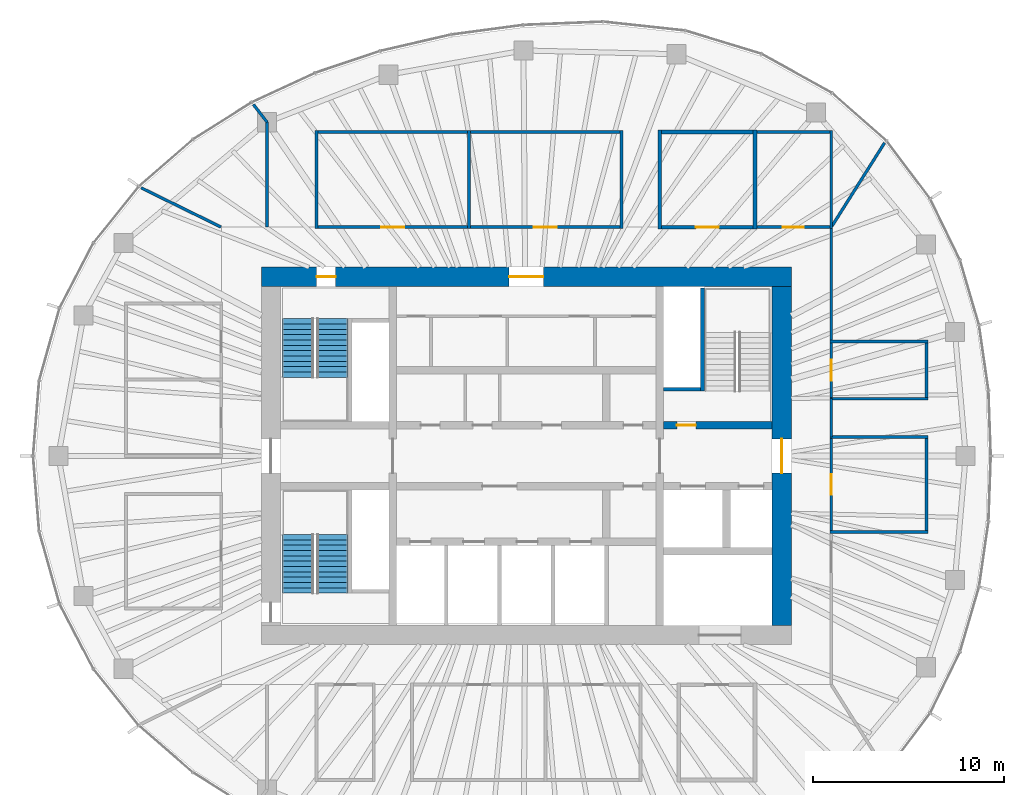
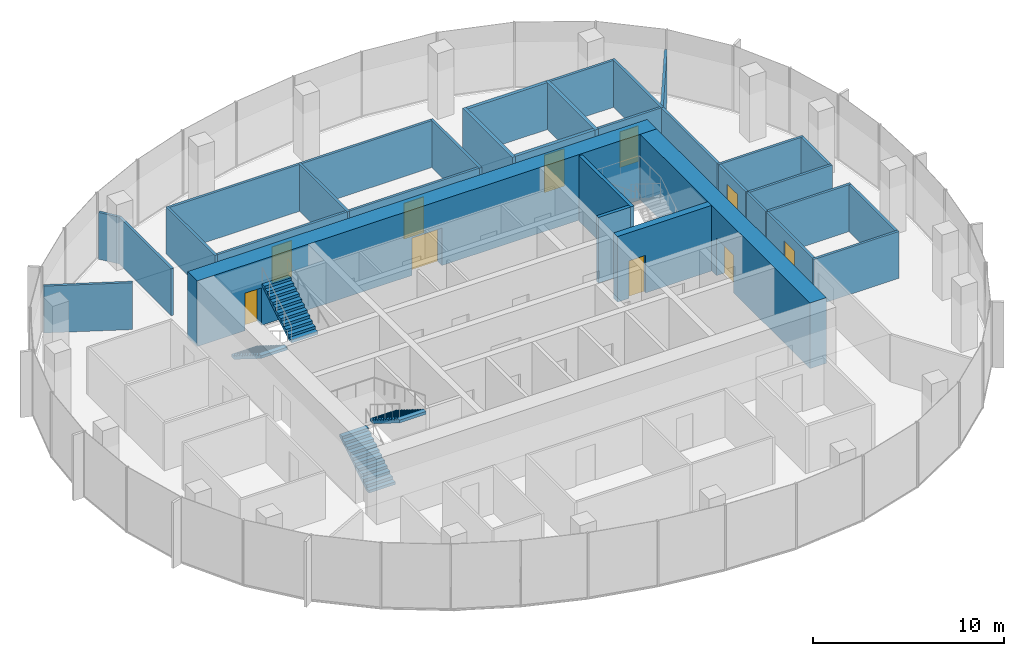
# One storey, part 10 of 12: 33 walls, 10 doors, 4 stair flights, 10 openings, 2 elements without a shape of their own.
"""IFC4 building model written with IfcOpenShell, lengths in metres."""

from ifc_helpers import new_model, si_unit, direction, frame, frame_2d, origin, place, context, subcontext, project, spatial, polyline, rectangle, outline, extrude, material, layer, layer_set, type_object, element, fill, aggregate, save


model = new_model("IFC4")

# Units and contexts
model_context = context("Model", 3, precision=1e-05, world=origin(), true_north=direction((0.0, 1.0)))
body_context = subcontext(model_context, "Body", "Model", "MODEL_VIEW")
ifc_project = project(units=[si_unit("LENGTHUNIT", "METRE"), si_unit("AREAUNIT", "SQUARE_METRE"), si_unit("VOLUMEUNIT", "CUBIC_METRE"), si_unit("PLANEANGLEUNIT", "RADIAN"), si_unit("MASSUNIT", "GRAM", prefix="KILO")], contexts=[model_context])

# Site, building, storey
site_placement = place(None, origin())
site = spatial("IfcSite", under=ifc_project, at=site_placement, CompositionType="ELEMENT")
building_placement = place(site_placement, origin())
building = spatial("IfcBuilding", under=site, at=building_placement, Name="Ghaith Harvest Tower", CompositionType="ELEMENT")
storey_placement = place(building_placement, frame((0.0, 0.0, 304.800048828125)))
storey = spatial("IfcBuildingStorey", under=building, at=storey_placement, Name="L68", CompositionType="ELEMENT", Elevation=304.800048828125)

# Walls
ifc_material_1 = material(Name="Twin-stud gypsum board, acoustic", Category="gypsum")
ifc_layer_1 = layer(ifc_material_1, 0.199951171875)
ifc_layer_set_1 = layer_set([ifc_layer_1], Name="ACOUSTIC PARTITION 200")
wall_type_1 = type_object("IfcWallType", Name="ACOUSTIC PARTITION 200", PredefinedType="PARTITIONING", material=ifc_layer_set_1)
for number, where, z_axis, x_axis, name in (
    (1, (7.0, 11.89990234375, 0.0), (0.0, 0.0, 1.0), (0.0, 1.0, 0.0), "Partition L68 row N2 cross wall 1"),
    (2, (12.0, 11.89990234375, 0.0), (0.0, 0.0, 1.0), (0.0, 1.0, 0.0), "Partition L68 row N2 cross wall 2"),
):
    element("IfcWall", number, at=place(storey_placement, frame(where, z_axis=z_axis, x_axis=x_axis)), inside=storey, type_object=wall_type_1, Name=name, PredefinedType="PARTITIONING", context=body_context, shape_type="SweptSolid", body=[
        extrude(rectangle(XDim=5.2001953125, YDim=0.199951171875, at=frame_2d((2.60009765625, 0.0))), origin(), (0.0, 0.0, 1.0), 3.0),
    ])

# Wall, opening, door
wall_1_placement = place(storey_placement, frame((7.10009765625, 12.0, 0.0), z_axis=(0.0, 0.0, 1.0), x_axis=(1.0, 0.0, 0.0)))
wall_1 = element("IfcWall", 3, at=wall_1_placement, inside=storey, type_object=wall_type_1, Name="Partition L68-03", PredefinedType="PARTITIONING", context=body_context, shape_type="SweptSolid", body=[
    extrude(rectangle(XDim=4.7998046875, YDim=0.199951171875, at=frame_2d((2.39990234375, 0.0))), origin(), (0.0, 0.0, 1.0), 3.0),
])
opening_1_placement = place(wall_1_placement, frame((1.800048828125, 0.0, 0.0)))
opening_1 = element("IfcOpeningElement", 4, at=opening_1_placement, cuts=wall_1, Name="Opening 68-028", PredefinedType="OPENING", context=body_context, shape_type="SweptSolid", body=[
    extrude(rectangle(XDim=1.199951171875, YDim=2.39990234375, at=frame_2d((0.60009765625, 1.199951171875))), frame((0.0, 0.10986328125, 0.0), z_axis=(0.0, -1.0, 0.0), x_axis=(1.0, 0.0, 0.0)), (0.0, 0.0, 1.0), 0.219970703125),
])
ifc_material_2 = material(Name="Timber door", Category="wood")
door_type_1 = type_object("IfcDoorType", Name="D11 GLAZED 1200x2400", OperationType="SINGLE_SWING_LEFT", PredefinedType="DOOR", material=ifc_material_2)
door_1_placement = place(opening_1_placement, origin())
door_1 = element("IfcDoor", 5, at=door_1_placement, inside=storey, type_object=door_type_1, Name="Meeting room door", OperationType="SINGLE_SWING_LEFT", OverallHeight=2.39990234375, OverallWidth=1.199951171875, PredefinedType="DOOR", context=body_context, shape_type="SweptSolid", body=[
    extrude(rectangle(XDim=1.199951171875, YDim=2.39990234375, at=frame_2d((0.60009765625, 1.199951171875))), frame((0.0, 0.02490234375, 0.0), z_axis=(0.0, -1.0, 0.0), x_axis=(1.0, 0.0, 0.0)), (0.0, 0.0, 1.0), 0.050048828125),
])
fill(opening_1, door_1)

# Wall
wall_2_placement = place(storey_placement, frame((7.10009765625, 17.0, 0.0), z_axis=(0.0, 0.0, 1.0), x_axis=(1.0, 0.0, 0.0)))
element("IfcWall", 6, at=wall_2_placement, inside=storey, type_object=wall_type_1, Name="Partition L68-03", PredefinedType="PARTITIONING", context=body_context, shape_type="SweptSolid", body=[
    extrude(rectangle(XDim=4.7998046875, YDim=0.199951171875, at=frame_2d((2.39990234375, 0.0))), origin(), (0.0, 0.0, 1.0), 3.0),
])

# Wall, openings, doors
ifc_material_3 = material(Name="Concrete C50/60", Category="concrete")
ifc_layer_2 = layer(ifc_material_3, 1.0)
ifc_layer_set_2 = layer_set([ifc_layer_2], Name="CORE WALL CW1000")
wall_type_2 = type_object("IfcWallType", Name="CORE WALL CW1000", PredefinedType="SHEAR", material=ifc_layer_set_2)
wall_3_placement = place(storey_placement, frame((13.89990234375, 9.39990234375, 0.0), z_axis=(0.0, 0.0, 1.0), x_axis=(-1.0, 0.0, 0.0)))
wall_3 = element("IfcWall", 7, at=wall_3_placement, inside=storey, type_object=wall_type_2, Name="Core wall N L68", PredefinedType="SHEAR", context=body_context, shape_type="SweptSolid", body=[
    extrude(rectangle(XDim=27.7998046875, YDim=1.0, at=frame_2d((13.89990234375, 0.0))), origin(), (0.0, 0.0, 1.0), 4.199951171875),
])
opening_2_placement = place(wall_3_placement, frame((23.89990234375, 0.0, 0.0)))
opening_2 = element("IfcOpeningElement", 8, at=opening_2_placement, cuts=wall_3, Name="Opening 68-005", PredefinedType="OPENING", context=body_context, shape_type="SweptSolid", body=[
    extrude(rectangle(XDim=1.0, YDim=2.39990234375, at=frame_2d((0.5, 1.199951171875))), frame((0.0, 0.510009765625, 0.0), z_axis=(0.0, -1.0, 0.0), x_axis=(1.0, 0.0, 0.0)), (0.0, 0.0, 1.0), 1.02001953125),
])
opening_3_placement = place(wall_3_placement, frame((13.0, 0.0, 0.0)))
opening_3 = element("IfcOpeningElement", 9, at=opening_3_placement, cuts=wall_3, Name="Opening 68-018", PredefinedType="OPENING", context=body_context, shape_type="SweptSolid", body=[
    extrude(rectangle(XDim=1.800048828125, YDim=2.39990234375, at=frame_2d((0.89990234375, 1.199951171875))), frame((0.0, 0.510009765625, 0.0), z_axis=(0.0, -1.0, 0.0), x_axis=(1.0, 0.0, 0.0)), (0.0, 0.0, 1.0), 1.02001953125),
])
ifc_material_4 = material(Name="Steel fire door", Category="steel")
door_type_2 = type_object("IfcDoorType", Name="D3 FD90 1000x2400", OperationType="SINGLE_SWING_LEFT", PredefinedType="DOOR", material=ifc_material_4)
door_2_placement = place(opening_2_placement, origin())
door_2 = element("IfcDoor", 10, at=door_2_placement, inside=storey, type_object=door_type_2, Name="Stair ST1 door", OperationType="SINGLE_SWING_RIGHT", OverallHeight=2.39990234375, OverallWidth=1.0, PredefinedType="DOOR", context=body_context, shape_type="SweptSolid", body=[
    extrude(rectangle(XDim=1.0, YDim=2.39990234375, at=frame_2d((0.5, 1.199951171875))), frame((0.0, 0.02490234375, 0.0), z_axis=(0.0, -1.0, 0.0), x_axis=(1.0, 0.0, 0.0)), (0.0, 0.0, 1.0), 0.050048828125),
])
fill(opening_2, door_2)
ifc_material_5 = material(Name="Steel fire door", Category="steel")
door_type_3 = type_object("IfcDoorType", Name="D4 FD90 PAIR 1800x2400", OperationType="DOUBLE_DOOR_SINGLE_SWING", PredefinedType="DOOR", material=ifc_material_5)
door_3_placement = place(opening_3_placement, origin())
door_3 = element("IfcDoor", 11, at=door_3_placement, inside=storey, type_object=door_type_3, Name="Core service corridor doors", OperationType="DOUBLE_DOOR_SINGLE_SWING", OverallHeight=2.39990234375, OverallWidth=1.800048828125, PredefinedType="DOOR", context=body_context, shape_type="SweptSolid", body=[
    extrude(rectangle(XDim=1.800048828125, YDim=2.39990234375, at=frame_2d((0.89990234375, 1.199951171875))), frame((0.0, 0.02490234375, 0.0), z_axis=(0.0, -1.0, 0.0), x_axis=(1.0, 0.0, 0.0)), (0.0, 0.0, 1.0), 0.050048828125),
])
fill(opening_3, door_3)

# Wall, opening, door
wall_4_placement = place(storey_placement, frame((13.39990234375, -8.89990234375, 0.0), z_axis=(0.0, 0.0, 1.0), x_axis=(0.0, 1.0, 0.0)))
wall_4 = element("IfcWall", 12, at=wall_4_placement, inside=storey, type_object=wall_type_2, Name="Core wall E L68", PredefinedType="SHEAR", context=body_context, shape_type="SweptSolid", body=[
    extrude(rectangle(XDim=17.7998046875, YDim=1.0, at=frame_2d((8.89990234375, 0.0))), origin(), (0.0, 0.0, 1.0), 4.199951171875),
])
opening_4_placement = place(wall_4_placement, frame((8.0, 0.0, 0.0)))
opening_4 = element("IfcOpeningElement", 13, at=opening_4_placement, cuts=wall_4, Name="Opening 68-002", PredefinedType="OPENING", context=body_context, shape_type="SweptSolid", body=[
    extrude(rectangle(XDim=1.800048828125, YDim=2.39990234375, at=frame_2d((0.89990234375, 1.199951171875))), frame((0.0, 0.510009765625, 0.0), z_axis=(0.0, -1.0, 0.0), x_axis=(1.0, 0.0, 0.0)), (0.0, 0.0, 1.0), 1.02001953125),
])
door_4_placement = place(opening_4_placement, origin())
door_4 = element("IfcDoor", 14, at=door_4_placement, inside=storey, type_object=door_type_3, Name="Fire-fighting lobby doors", OperationType="DOUBLE_DOOR_SINGLE_SWING", OverallHeight=2.39990234375, OverallWidth=1.800048828125, PredefinedType="DOOR", context=body_context, shape_type="SweptSolid", body=[
    extrude(rectangle(XDim=1.800048828125, YDim=2.39990234375, at=frame_2d((0.89990234375, 1.199951171875))), frame((0.0, 0.02490234375, 0.0), z_axis=(0.0, -1.0, 0.0), x_axis=(1.0, 0.0, 0.0)), (0.0, 0.0, 1.0), 0.050048828125),
])
fill(opening_4, door_4)

# Walls
ifc_material_6 = material(Name="Gypsum board on steel studs", Category="steel")
ifc_layer_3 = layer(ifc_material_6, 0.14990234375)
ifc_layer_set_3 = layer_set([ifc_layer_3], Name="PARTITION 150")
wall_type_3 = type_object("IfcWallType", Name="PARTITION 150", PredefinedType="PARTITIONING", material=ifc_layer_set_3)
for number, where, z_axis, x_axis, name in (
    (15, (-11.0, 11.925048828125, 0.0), (0.0, 0.0, 1.0), (0.0, 1.0, 0.0), "Partition L68 row N1 cross wall 1"),
    (16, (-3.0, 11.925048828125, 0.0), (0.0, 0.0, 1.0), (0.0, 1.0, 0.0), "Partition L68 row N1 cross wall 2"),
    (17, (5.0, 11.925048828125, 0.0), (0.0, 0.0, 1.0), (0.0, 1.0, 0.0), "Partition L68 row N1 cross wall 3"),
):
    element("IfcWall", number, at=place(storey_placement, frame(where, z_axis=z_axis, x_axis=x_axis)), inside=storey, type_object=wall_type_3, Name=name, PredefinedType="PARTITIONING", context=body_context, shape_type="SweptSolid", body=[
        extrude(rectangle(XDim=5.14990234375, YDim=0.14990234375, at=frame_2d((2.574951171875, 0.0))), origin(), (0.0, 0.0, 1.0), 3.0),
    ])

# Wall, opening, door
wall_5_placement = place(storey_placement, frame((-10.925048828125, 12.0, 0.0), z_axis=(0.0, 0.0, 1.0), x_axis=(1.0, 0.0, 0.0)))
wall_5 = element("IfcWall", 18, at=wall_5_placement, inside=storey, type_object=wall_type_3, Name="Partition L68-01", PredefinedType="PARTITIONING", context=body_context, shape_type="SweptSolid", body=[
    extrude(rectangle(XDim=7.85009765625, YDim=0.14990234375, at=frame_2d((3.925048828125, 0.0))), origin(), (0.0, 0.0, 1.0), 3.0),
])
opening_5_placement = place(wall_5_placement, frame((3.324951171875, 0.0, 0.0)))
opening_5 = element("IfcOpeningElement", 19, at=opening_5_placement, cuts=wall_5, Name="Opening 68-026", PredefinedType="OPENING", context=body_context, shape_type="SweptSolid", body=[
    extrude(rectangle(XDim=1.199951171875, YDim=2.300048828125, at=frame_2d((0.60009765625, 1.14990234375))), frame((0.0, 0.0849609375, 0.0), z_axis=(0.0, -1.0, 0.0), x_axis=(1.0, 0.0, 0.0)), (0.0, 0.0, 1.0), 0.169921875),
])
ifc_material_7 = material(Name="Timber door with vision panel", Category="wood")
door_type_4 = type_object("IfcDoorType", Name="D15 LABORATORY 1200x2300", OperationType="SINGLE_SWING_LEFT", PredefinedType="DOOR", material=ifc_material_7)
door_5_placement = place(opening_5_placement, origin())
door_5 = element("IfcDoor", 20, at=door_5_placement, inside=storey, type_object=door_type_4, Name="Growing laboratory door", OperationType="SINGLE_SWING_LEFT", OverallHeight=2.300048828125, OverallWidth=1.199951171875, PredefinedType="DOOR", context=body_context, shape_type="SweptSolid", body=[
    extrude(rectangle(XDim=1.199951171875, YDim=2.300048828125, at=frame_2d((0.60009765625, 1.14990234375))), frame((0.0, 0.02490234375, 0.0), z_axis=(0.0, -1.0, 0.0), x_axis=(1.0, 0.0, 0.0)), (0.0, 0.0, 1.0), 0.050048828125),
])
fill(opening_5, door_5)

# Wall
wall_6_placement = place(storey_placement, frame((-10.925048828125, 17.0, 0.0), z_axis=(0.0, 0.0, 1.0), x_axis=(1.0, 0.0, 0.0)))
element("IfcWall", 21, at=wall_6_placement, inside=storey, type_object=wall_type_3, Name="Partition L68-01", PredefinedType="PARTITIONING", context=body_context, shape_type="SweptSolid", body=[
    extrude(rectangle(XDim=7.85009765625, YDim=0.14990234375, at=frame_2d((3.925048828125, 0.0))), origin(), (0.0, 0.0, 1.0), 3.0),
])

# Wall, opening, door
wall_7_placement = place(storey_placement, frame((-2.925048828125, 12.0, 0.0), z_axis=(0.0, 0.0, 1.0), x_axis=(1.0, 0.0, 0.0)))
wall_7 = element("IfcWall", 22, at=wall_7_placement, inside=storey, type_object=wall_type_3, Name="Partition L68-02", PredefinedType="PARTITIONING", context=body_context, shape_type="SweptSolid", body=[
    extrude(rectangle(XDim=7.85009765625, YDim=0.14990234375, at=frame_2d((3.925048828125, 0.0))), origin(), (0.0, 0.0, 1.0), 3.0),
])
opening_6_placement = place(wall_7_placement, frame((3.324951171875, 0.0, 0.0)))
opening_6 = element("IfcOpeningElement", 23, at=opening_6_placement, cuts=wall_7, Name="Opening 68-027", PredefinedType="OPENING", context=body_context, shape_type="SweptSolid", body=[
    extrude(rectangle(XDim=1.199951171875, YDim=2.300048828125, at=frame_2d((0.60009765625, 1.14990234375))), frame((0.0, 0.0849609375, 0.0), z_axis=(0.0, -1.0, 0.0), x_axis=(1.0, 0.0, 0.0)), (0.0, 0.0, 1.0), 0.169921875),
])
door_6_placement = place(opening_6_placement, origin())
door_6 = element("IfcDoor", 24, at=door_6_placement, inside=storey, type_object=door_type_4, Name="Growing laboratory door", OperationType="SINGLE_SWING_LEFT", OverallHeight=2.300048828125, OverallWidth=1.199951171875, PredefinedType="DOOR", context=body_context, shape_type="SweptSolid", body=[
    extrude(rectangle(XDim=1.199951171875, YDim=2.300048828125, at=frame_2d((0.60009765625, 1.14990234375))), frame((0.0, 0.02490234375, 0.0), z_axis=(0.0, -1.0, 0.0), x_axis=(1.0, 0.0, 0.0)), (0.0, 0.0, 1.0), 0.050048828125),
])
fill(opening_6, door_6)

# Walls
wall_8_placement = place(storey_placement, frame((-2.925048828125, 17.0, 0.0), z_axis=(0.0, 0.0, 1.0), x_axis=(1.0, 0.0, 0.0)))
element("IfcWall", 25, at=wall_8_placement, inside=storey, type_object=wall_type_3, Name="Partition L68-02", PredefinedType="PARTITIONING", context=body_context, shape_type="SweptSolid", body=[
    extrude(rectangle(XDim=7.85009765625, YDim=0.14990234375, at=frame_2d((3.925048828125, 0.0))), origin(), (0.0, 0.0, 1.0), 3.0),
])
wall_9_placement = place(storey_placement, frame((16.0, 11.925048828125, 0.0), z_axis=(0.0, 0.0, 1.0), x_axis=(0.0, 1.0, 0.0)))
element("IfcWall", 26, at=wall_9_placement, inside=storey, type_object=wall_type_3, Name="Partition L68 row N2 cross wall 3", PredefinedType="PARTITIONING", context=body_context, shape_type="SweptSolid", body=[
    extrude(rectangle(XDim=5.14990234375, YDim=0.14990234375, at=frame_2d((2.574951171875, 0.0))), origin(), (0.0, 0.0, 1.0), 3.0),
])

# Wall, opening, door
wall_10_placement = place(storey_placement, frame((12.10009765625, 12.0, 0.0), z_axis=(0.0, 0.0, 1.0), x_axis=(1.0, 0.0, 0.0)))
wall_10 = element("IfcWall", 27, at=wall_10_placement, inside=storey, type_object=wall_type_3, Name="Partition L68-04", PredefinedType="PARTITIONING", context=body_context, shape_type="SweptSolid", body=[
    extrude(rectangle(XDim=3.824951171875, YDim=0.14990234375, at=frame_2d((1.91259765625, 0.0))), origin(), (0.0, 0.0, 1.0), 3.0),
])
opening_7_placement = place(wall_10_placement, frame((1.362548828125, 0.0, 0.0)))
opening_7 = element("IfcOpeningElement", 28, at=opening_7_placement, cuts=wall_10, Name="Opening 68-029", PredefinedType="OPENING", context=body_context, shape_type="SweptSolid", body=[
    extrude(rectangle(XDim=1.10009765625, YDim=2.300048828125, at=frame_2d((0.550048828125, 1.14990234375))), frame((0.0, 0.0849609375, 0.0), z_axis=(0.0, -1.0, 0.0), x_axis=(1.0, 0.0, 0.0)), (0.0, 0.0, 1.0), 0.169921875),
])
ifc_material_8 = material(Name="Timber-framed glazed door", Category="wood")
door_type_5 = type_object("IfcDoorType", Name="D12 GLAZED OFFICE 1100x2300", OperationType="SINGLE_SWING_LEFT", PredefinedType="DOOR", material=ifc_material_8)
door_7_placement = place(opening_7_placement, origin())
door_7 = element("IfcDoor", 29, at=door_7_placement, inside=storey, type_object=door_type_5, Name="Office door", OperationType="SINGLE_SWING_LEFT", OverallHeight=2.300048828125, OverallWidth=1.10009765625, PredefinedType="DOOR", context=body_context, shape_type="SweptSolid", body=[
    extrude(rectangle(XDim=1.10009765625, YDim=2.300048828125, at=frame_2d((0.550048828125, 1.14990234375))), frame((0.0, 0.02490234375, 0.0), z_axis=(0.0, -1.0, 0.0), x_axis=(1.0, 0.0, 0.0)), (0.0, 0.0, 1.0), 0.050048828125),
])
fill(opening_7, door_7)

# Walls
wall_11_placement = place(storey_placement, frame((12.10009765625, 17.0, 0.0), z_axis=(0.0, 0.0, 1.0), x_axis=(1.0, 0.0, 0.0)))
element("IfcWall", 30, at=wall_11_placement, inside=storey, type_object=wall_type_3, Name="Partition L68-04", PredefinedType="PARTITIONING", context=body_context, shape_type="SweptSolid", body=[
    extrude(rectangle(XDim=3.824951171875, YDim=0.14990234375, at=frame_2d((1.91259765625, 0.0))), origin(), (0.0, 0.0, 1.0), 3.0),
])
for number, where, z_axis, x_axis, name in (
    (31, (15.925048828125, -4.0, 0.0), (0.0, 0.0, 1.0), (1.0, 0.0, 0.0), "Partition L68 row E6 cross wall 1"),
    (32, (15.925048828125, 1.0, 0.0), (0.0, 0.0, 1.0), (1.0, 0.0, 0.0), "Partition L68 row E6 cross wall 2"),
):
    element("IfcWall", number, at=place(storey_placement, frame(where, z_axis=z_axis, x_axis=x_axis)), inside=storey, type_object=wall_type_3, Name=name, PredefinedType="PARTITIONING", context=body_context, shape_type="SweptSolid", body=[
        extrude(rectangle(XDim=5.14990234375, YDim=0.14990234375, at=frame_2d((2.574951171875, 0.0))), origin(), (0.0, 0.0, 1.0), 3.0),
    ])

# Wall, opening, door
wall_12_placement = place(storey_placement, frame((16.0, -3.925048828125, 0.0), z_axis=(0.0, 0.0, 1.0), x_axis=(0.0, 1.0, 0.0)))
wall_12 = element("IfcWall", 33, at=wall_12_placement, inside=storey, type_object=wall_type_3, Name="Partition L68-09", PredefinedType="PARTITIONING", context=body_context, shape_type="SweptSolid", body=[
    extrude(rectangle(XDim=4.85009765625, YDim=0.14990234375, at=frame_2d((2.425048828125, 0.0))), origin(), (0.0, 0.0, 1.0), 3.0),
])
opening_8_placement = place(wall_12_placement, frame((1.875, 0.0, 0.0)))
opening_8 = element("IfcOpeningElement", 34, at=opening_8_placement, cuts=wall_12, Name="Opening 68-034", PredefinedType="OPENING", context=body_context, shape_type="SweptSolid", body=[
    extrude(rectangle(XDim=1.10009765625, YDim=2.300048828125, at=frame_2d((0.550048828125, 1.14990234375))), frame((0.0, 0.0849609375, 0.0), z_axis=(0.0, -1.0, 0.0), x_axis=(1.0, 0.0, 0.0)), (0.0, 0.0, 1.0), 0.169921875),
])
door_8_placement = place(opening_8_placement, origin())
door_8 = element("IfcDoor", 35, at=door_8_placement, inside=storey, type_object=door_type_5, Name="Research office door", OperationType="SINGLE_SWING_LEFT", OverallHeight=2.300048828125, OverallWidth=1.10009765625, PredefinedType="DOOR", context=body_context, shape_type="SweptSolid", body=[
    extrude(rectangle(XDim=1.10009765625, YDim=2.300048828125, at=frame_2d((0.550048828125, 1.14990234375))), frame((0.0, 0.02490234375, 0.0), z_axis=(0.0, -1.0, 0.0), x_axis=(1.0, 0.0, 0.0)), (0.0, 0.0, 1.0), 0.050048828125),
])
fill(opening_8, door_8)

# Walls
wall_13_placement = place(storey_placement, frame((21.0, -3.925048828125, 0.0), z_axis=(0.0, 0.0, 1.0), x_axis=(0.0, 1.0, 0.0)))
element("IfcWall", 36, at=wall_13_placement, inside=storey, type_object=wall_type_3, Name="Partition L68-09", PredefinedType="PARTITIONING", context=body_context, shape_type="SweptSolid", body=[
    extrude(rectangle(XDim=4.85009765625, YDim=0.14990234375, at=frame_2d((2.425048828125, 0.0))), origin(), (0.0, 0.0, 1.0), 3.0),
])
for number, where, z_axis, x_axis, name in (
    (37, (15.925048828125, 3.0, 0.0), (0.0, 0.0, 1.0), (1.0, 0.0, 0.0), "Partition L68 row E8 cross wall 1"),
    (38, (15.925048828125, 6.0, 0.0), (0.0, 0.0, 1.0), (1.0, 0.0, 0.0), "Partition L68 row E8 cross wall 2"),
):
    element("IfcWall", number, at=place(storey_placement, frame(where, z_axis=z_axis, x_axis=x_axis)), inside=storey, type_object=wall_type_3, Name=name, PredefinedType="PARTITIONING", context=body_context, shape_type="SweptSolid", body=[
        extrude(rectangle(XDim=5.14990234375, YDim=0.14990234375, at=frame_2d((2.574951171875, 0.0))), origin(), (0.0, 0.0, 1.0), 3.0),
    ])

# Wall, opening, door
wall_14_placement = place(storey_placement, frame((16.0, 3.074951171875, 0.0), z_axis=(0.0, 0.0, 1.0), x_axis=(0.0, 1.0, 0.0)))
wall_14 = element("IfcWall", 39, at=wall_14_placement, inside=storey, type_object=wall_type_3, Name="Partition L68-11", PredefinedType="PARTITIONING", context=body_context, shape_type="SweptSolid", body=[
    extrude(rectangle(XDim=2.85009765625, YDim=0.14990234375, at=frame_2d((1.425048828125, 0.0))), origin(), (0.0, 0.0, 1.0), 3.0),
])
opening_9_placement = place(wall_14_placement, frame((0.875, 0.0, 0.0)))
opening_9 = element("IfcOpeningElement", 40, at=opening_9_placement, cuts=wall_14, Name="Opening 68-036", PredefinedType="OPENING", context=body_context, shape_type="SweptSolid", body=[
    extrude(rectangle(XDim=1.10009765625, YDim=2.300048828125, at=frame_2d((0.550048828125, 1.14990234375))), frame((0.0, 0.0849609375, 0.0), z_axis=(0.0, -1.0, 0.0), x_axis=(1.0, 0.0, 0.0)), (0.0, 0.0, 1.0), 0.169921875),
])
door_9_placement = place(opening_9_placement, origin())
door_9 = element("IfcDoor", 41, at=door_9_placement, inside=storey, type_object=door_type_5, Name="Data office door", OperationType="SINGLE_SWING_LEFT", OverallHeight=2.300048828125, OverallWidth=1.10009765625, PredefinedType="DOOR", context=body_context, shape_type="SweptSolid", body=[
    extrude(rectangle(XDim=1.10009765625, YDim=2.300048828125, at=frame_2d((0.550048828125, 1.14990234375))), frame((0.0, 0.02490234375, 0.0), z_axis=(0.0, -1.0, 0.0), x_axis=(1.0, 0.0, 0.0)), (0.0, 0.0, 1.0), 0.050048828125),
])
fill(opening_9, door_9)

# Walls
wall_15_placement = place(storey_placement, frame((21.0, 3.074951171875, 0.0), z_axis=(0.0, 0.0, 1.0), x_axis=(0.0, 1.0, 0.0)))
element("IfcWall", 42, at=wall_15_placement, inside=storey, type_object=wall_type_3, Name="Partition L68-11", PredefinedType="PARTITIONING", context=body_context, shape_type="SweptSolid", body=[
    extrude(rectangle(XDim=2.85009765625, YDim=0.14990234375, at=frame_2d((1.425048828125, 0.0))), origin(), (0.0, 0.0, 1.0), 3.0),
])
wall_16_placement = place(storey_placement, frame((-16.017822265625, 12.0087890625, 0.0), z_axis=(0.0, 0.0, 1.0), x_axis=(-0.897771840996, 0.440460805879, 0.0)))
element("IfcWall", 43, at=wall_16_placement, inside=storey, type_object=wall_type_3, Name="Partition L68 zone division", PredefinedType="PARTITIONING", context=body_context, shape_type="SweptSolid", body=[
    extrude(rectangle(XDim=4.66552734375, YDim=0.14990234375, at=frame_2d((2.332763671875, 0.0))), origin(), (0.0, 0.0, 1.0), 3.0),
])
wall_17_placement = place(storey_placement, frame((16.02001953125, 12.03173828125, 0.0), z_axis=(0.0, 0.0, 1.0), x_axis=(0.534176584227, 0.845372921771, 0.0)))
element("IfcWall", 44, at=wall_17_placement, inside=storey, type_object=wall_type_3, Name="Partition L68 zone division", PredefinedType="PARTITIONING", context=body_context, shape_type="SweptSolid", body=[
    extrude(rectangle(XDim=5.202880859375, YDim=0.14990234375, at=frame_2d((2.6015625, 0.0))), origin(), (0.0, 0.0, 1.0), 3.0),
])
wall_18_placement = place(storey_placement, frame((-13.594970703125, 12.02001953125, 0.0), z_axis=(0.0, 0.0, 1.0), x_axis=(0.0, 1.0, 0.0)))
element("IfcWall", 45, at=wall_18_placement, inside=storey, type_object=wall_type_3, Name="Partition L68 zone division", PredefinedType="PARTITIONING", context=body_context, shape_type="SweptSolid", body=[
    extrude(rectangle(XDim=5.48486328125, YDim=0.14990234375, at=frame_2d((2.742431640625, 0.0))), origin(), (0.0, 0.0, 1.0), 3.0),
])
wall_19_placement = place(storey_placement, frame((-13.594970703125, 17.5048828125, 0.0), z_axis=(0.0, 0.0, 1.0), x_axis=(-0.61332442804, 0.789831086986, 0.0)))
element("IfcWall", 46, at=wall_19_placement, inside=storey, type_object=wall_type_3, Name="Partition L68 zone division", PredefinedType="PARTITIONING", context=body_context, shape_type="SweptSolid", body=[
    extrude(rectangle(XDim=1.179931640625, YDim=0.14990234375, at=frame_2d((0.58984375, 0.0))), origin(), (0.0, 0.0, 1.0), 3.0),
])
wall_20_placement = place(storey_placement, frame((16.0, 1.0, 0.0), z_axis=(0.0, 0.0, 1.0), x_axis=(0.0, 1.0, 0.0)))
element("IfcWall", 47, at=wall_20_placement, inside=storey, type_object=wall_type_3, Name="Partition L68 zone enclosure", PredefinedType="PARTITIONING", context=body_context, shape_type="SweptSolid", body=[
    extrude(rectangle(XDim=2.0, YDim=0.14990234375, at=frame_2d((1.0, 0.0))), origin(), (0.0, 0.0, 1.0), 3.0),
])
wall_21_placement = place(storey_placement, frame((16.0, 6.0, 0.0), z_axis=(0.0, 0.0, 1.0), x_axis=(0.0, 1.0, 0.0)))
element("IfcWall", 48, at=wall_21_placement, inside=storey, type_object=wall_type_3, Name="Partition L68 zone enclosure", PredefinedType="PARTITIONING", context=body_context, shape_type="SweptSolid", body=[
    extrude(rectangle(XDim=6.0, YDim=0.14990234375, at=frame_2d((3.0, 0.0))), origin(), (0.0, 0.0, 1.0), 3.0),
])

# Wall, opening, door
ifc_material_9 = material(Name="Concrete C70/85", Category="concrete")
ifc_layer_4 = layer(ifc_material_9, 0.39990234375)
ifc_layer_set_4 = layer_set([ifc_layer_4], Name="SHAFT WALL 400")
wall_type_4 = type_object("IfcWallType", Name="SHAFT WALL 400", PredefinedType="SHEAR", material=ifc_layer_set_4)
wall_22_placement = place(storey_placement, frame((7.199951171875, 1.60009765625, 0.0), z_axis=(0.0, 0.0, 1.0), x_axis=(1.0, 0.0, 0.0)))
wall_22 = element("IfcWall", 49, at=wall_22_placement, inside=storey, type_object=wall_type_4, Name="Shaft wall EN L68", PredefinedType="SHEAR", context=body_context, shape_type="SweptSolid", body=[
    extrude(rectangle(XDim=5.699951171875, YDim=0.39990234375, at=frame_2d((2.85009765625, 0.0))), origin(), (0.0, 0.0, 1.0), 4.199951171875),
])
opening_10_placement = place(wall_22_placement, frame((0.699951171875, 0.0, 0.0)))
opening_10 = element("IfcOpeningElement", 50, at=opening_10_placement, cuts=wall_22, Name="Opening 68-007", PredefinedType="OPENING", context=body_context, shape_type="SweptSolid", body=[
    extrude(rectangle(XDim=1.0, YDim=2.39990234375, at=frame_2d((0.5, 1.199951171875))), frame((0.0, 0.2099609375, 0.0), z_axis=(0.0, -1.0, 0.0), x_axis=(1.0, 0.0, 0.0)), (0.0, 0.0, 1.0), 0.419921875),
])
door_10_placement = place(opening_10_placement, origin())
door_10 = element("IfcDoor", 51, at=door_10_placement, inside=storey, type_object=door_type_2, Name="Stair ST2 door", OperationType="SINGLE_SWING_LEFT", OverallHeight=2.39990234375, OverallWidth=1.0, PredefinedType="DOOR", context=body_context, shape_type="SweptSolid", body=[
    extrude(rectangle(XDim=1.0, YDim=2.39990234375, at=frame_2d((0.5, 1.199951171875))), frame((0.0, 0.02490234375, 0.0), z_axis=(0.0, -1.0, 0.0), x_axis=(1.0, 0.0, 0.0)), (0.0, 0.0, 1.0), 0.050048828125),
])
fill(opening_10, door_10)

# Walls
ifc_material_10 = material(Name="Concrete C40/50", Category="concrete")
ifc_layer_5 = layer(ifc_material_10, 0.199951171875)
ifc_layer_set_5 = layer_set([ifc_layer_5], Name="STAIR SPINE WALL RC200")
wall_type_5 = type_object("IfcWallType", Name="STAIR SPINE WALL RC200", PredefinedType="SOLIDWALL", material=ifc_layer_set_5)
wall_23_placement = place(storey_placement, frame((9.25, 3.39990234375, 0.0), z_axis=(0.0, 0.0, 1.0), x_axis=(0.0, 1.0, 0.0)))
element("IfcWall", 52, at=wall_23_placement, inside=storey, type_object=wall_type_5, Name="Stair ST2 spine wall L68", PredefinedType="SOLIDWALL", context=body_context, shape_type="SweptSolid", body=[
    extrude(rectangle(XDim=5.400146484375, YDim=0.199951171875, at=frame_2d((2.7001953125, 0.0))), origin(), (0.0, 0.0, 1.0), 4.199951171875),
])
wall_24_placement = place(storey_placement, frame((9.14990234375, 3.5, 0.0), z_axis=(0.0, 0.0, 1.0), x_axis=(-1.0, 0.0, 0.0)))
element("IfcWall", 53, at=wall_24_placement, inside=storey, type_object=wall_type_5, Name="Stair ST2 spine wall return L68", PredefinedType="SOLIDWALL", context=body_context, shape_type="SweptSolid", body=[
    extrude(rectangle(XDim=1.949951171875, YDim=0.199951171875, at=frame_2d((0.97509765625, 0.0))), origin(), (0.0, 0.0, 1.0), 4.199951171875),
])

# Stair, stair flights
ifc_material_11 = material(Name="Concrete C40/50, precast", Category="concrete")
stair_type = type_object("IfcStairType", Name="CORE STAIR 24R", PredefinedType="HALF_TURN_STAIR", material=ifc_material_11)
stair_1_placement = place(storey_placement, origin())
stair_1 = element("IfcStair", 54, at=stair_1_placement, inside=storey, type_object=stair_type, Name="Stair ST1 L68", PredefinedType="HALF_TURN_STAIR")
ifc_material_12 = material(Name="Concrete C40/50, precast", Category="concrete")
stair_flight_type = type_object("IfcStairFlightType", Name="CORE FLIGHT 12R 1600", PredefinedType="STRAIGHT", material=ifc_material_12)
stair_flight_1_placement = place(storey_placement, frame((-12.0, 7.199951171875, 0.0), z_axis=(0.0, 0.0, 1.0), x_axis=(0.0, -1.0, 0.0)))
stair_flight_1 = element("IfcStairFlight", 55, at=stair_flight_1_placement, type_object=stair_flight_type, Name="ST1 flight 1", NumberOfRisers=12, NumberOfTreads=11, PredefinedType="STRAIGHT", RiserHeight=0.175, TreadLength=0.28, context=body_context, shape_type="SweptSolid", body=[
    extrude(outline(polyline([(0.0, 0.0), (0.0, 0.175048828125), (0.280029296875, 0.175048828125), (0.280029296875, 0.35009765625), (0.56005859375, 0.35009765625), (0.56005859375, 0.52490234375), (0.840087890625, 0.52490234375), (0.840087890625, 0.699951171875), (1.1201171875, 0.699951171875), (1.1201171875, 0.875), (1.39990234375, 0.875), (1.39990234375, 1.050048828125), (1.679931640625, 1.050048828125), (1.679931640625, 1.22509765625), (1.9599609375, 1.22509765625), (1.9599609375, 1.39990234375), (2.239990234375, 1.39990234375), (2.239990234375, 1.574951171875), (2.52001953125, 1.574951171875), (2.52001953125, 1.75), (2.800048828125, 1.75), (2.800048828125, 1.925048828125), (3.080078125, 1.925048828125), (3.080078125, 2.10009765625), (3.080078125, 1.748291015625), (0.28271484375, 0.0), (0.0, 0.0)])), frame((0.0, 0.800048828125, 0.0), z_axis=(0.0, -1.0, 0.0), x_axis=(1.0, 0.0, 0.0)), (0.0, 0.0, 1.0), 1.60009765625),
])
stair_flight_2_placement = place(storey_placement, frame((-10.14990234375, 4.1201171875, 2.099853515625), z_axis=(0.0, 0.0, 1.0), x_axis=(0.0, 1.0, 0.0)))
stair_flight_2 = element("IfcStairFlight", 56, at=stair_flight_2_placement, type_object=stair_flight_type, Name="ST1 flight 2", NumberOfRisers=12, NumberOfTreads=11, PredefinedType="STRAIGHT", RiserHeight=0.175, TreadLength=0.28, context=body_context, shape_type="SweptSolid", body=[
    extrude(outline(polyline([(0.0, 0.0), (0.0, 0.175048828125), (0.280029296875, 0.175048828125), (0.280029296875, 0.35009765625), (0.56005859375, 0.35009765625), (0.56005859375, 0.52490234375), (0.840087890625, 0.52490234375), (0.840087890625, 0.699951171875), (1.1201171875, 0.699951171875), (1.1201171875, 0.875), (1.39990234375, 0.875), (1.39990234375, 1.050048828125), (1.679931640625, 1.050048828125), (1.679931640625, 1.22509765625), (1.9599609375, 1.22509765625), (1.9599609375, 1.39990234375), (2.239990234375, 1.39990234375), (2.239990234375, 1.574951171875), (2.52001953125, 1.574951171875), (2.52001953125, 1.75), (2.800048828125, 1.75), (2.800048828125, 1.925048828125), (3.080078125, 1.925048828125), (3.080078125, 2.10009765625), (3.080078125, 1.748291015625), (0.28271484375, 0.0), (0.0, 0.0)])), frame((0.0, 0.800048828125, 0.0), z_axis=(0.0, -1.0, 0.0), x_axis=(1.0, 0.0, 0.0)), (0.0, 0.0, 1.0), 1.60009765625),
])
aggregate(stair_1, [stair_flight_1, stair_flight_2])

stair_2_placement = place(storey_placement, origin())
stair_2 = element("IfcStair", 57, at=stair_2_placement, inside=storey, type_object=stair_type, Name="Stair ST3 L68", PredefinedType="HALF_TURN_STAIR")
stair_flight_3_placement = place(storey_placement, frame((-12.0, -7.199951171875, 0.0), z_axis=(0.0, 0.0, 1.0), x_axis=(0.0, 1.0, 0.0)))
stair_flight_3 = element("IfcStairFlight", 58, at=stair_flight_3_placement, type_object=stair_flight_type, Name="ST3 flight 1", NumberOfRisers=12, NumberOfTreads=11, PredefinedType="STRAIGHT", RiserHeight=0.175, TreadLength=0.28, context=body_context, shape_type="SweptSolid", body=[
    extrude(outline(polyline([(0.0, 0.0), (0.0, 0.175048828125), (0.280029296875, 0.175048828125), (0.280029296875, 0.35009765625), (0.56005859375, 0.35009765625), (0.56005859375, 0.52490234375), (0.840087890625, 0.52490234375), (0.840087890625, 0.699951171875), (1.1201171875, 0.699951171875), (1.1201171875, 0.875), (1.39990234375, 0.875), (1.39990234375, 1.050048828125), (1.679931640625, 1.050048828125), (1.679931640625, 1.22509765625), (1.9599609375, 1.22509765625), (1.9599609375, 1.39990234375), (2.239990234375, 1.39990234375), (2.239990234375, 1.574951171875), (2.52001953125, 1.574951171875), (2.52001953125, 1.75), (2.800048828125, 1.75), (2.800048828125, 1.925048828125), (3.080078125, 1.925048828125), (3.080078125, 2.10009765625), (3.080078125, 1.748291015625), (0.28271484375, 0.0), (0.0, 0.0)])), frame((0.0, 0.800048828125, 0.0), z_axis=(0.0, -1.0, 0.0), x_axis=(1.0, 0.0, 0.0)), (0.0, 0.0, 1.0), 1.60009765625),
])
stair_flight_4_placement = place(storey_placement, frame((-10.14990234375, -4.1201171875, 2.099853515625), z_axis=(0.0, 0.0, 1.0), x_axis=(0.0, -1.0, 0.0)))
stair_flight_4 = element("IfcStairFlight", 59, at=stair_flight_4_placement, type_object=stair_flight_type, Name="ST3 flight 2", NumberOfRisers=12, NumberOfTreads=11, PredefinedType="STRAIGHT", RiserHeight=0.175, TreadLength=0.28, context=body_context, shape_type="SweptSolid", body=[
    extrude(outline(polyline([(0.0, 0.0), (0.0, 0.175048828125), (0.280029296875, 0.175048828125), (0.280029296875, 0.35009765625), (0.56005859375, 0.35009765625), (0.56005859375, 0.52490234375), (0.840087890625, 0.52490234375), (0.840087890625, 0.699951171875), (1.1201171875, 0.699951171875), (1.1201171875, 0.875), (1.39990234375, 0.875), (1.39990234375, 1.050048828125), (1.679931640625, 1.050048828125), (1.679931640625, 1.22509765625), (1.9599609375, 1.22509765625), (1.9599609375, 1.39990234375), (2.239990234375, 1.39990234375), (2.239990234375, 1.574951171875), (2.52001953125, 1.574951171875), (2.52001953125, 1.75), (2.800048828125, 1.75), (2.800048828125, 1.925048828125), (3.080078125, 1.925048828125), (3.080078125, 2.10009765625), (3.080078125, 1.748291015625), (0.28271484375, 0.0), (0.0, 0.0)])), frame((0.0, 0.800048828125, 0.0), z_axis=(0.0, -1.0, 0.0), x_axis=(1.0, 0.0, 0.0)), (0.0, 0.0, 1.0), 1.60009765625),
])
aggregate(stair_2, [stair_flight_3, stair_flight_4])

save(model, "model.ifc")
